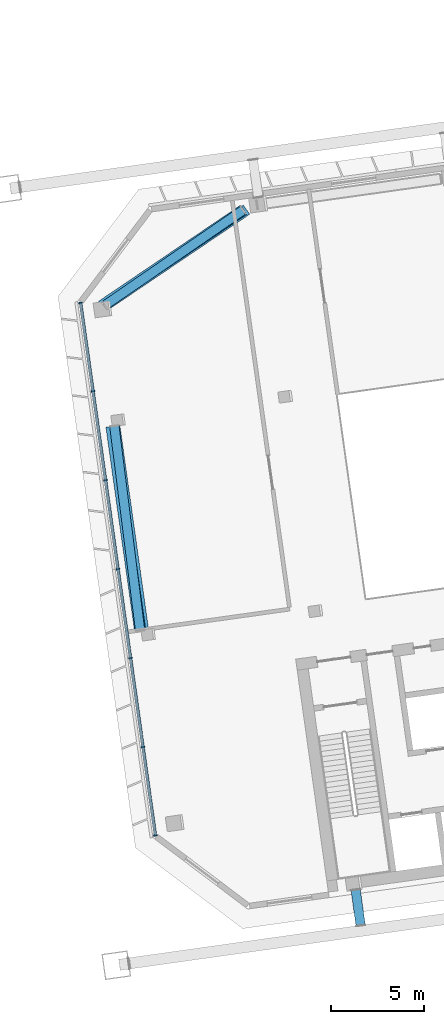
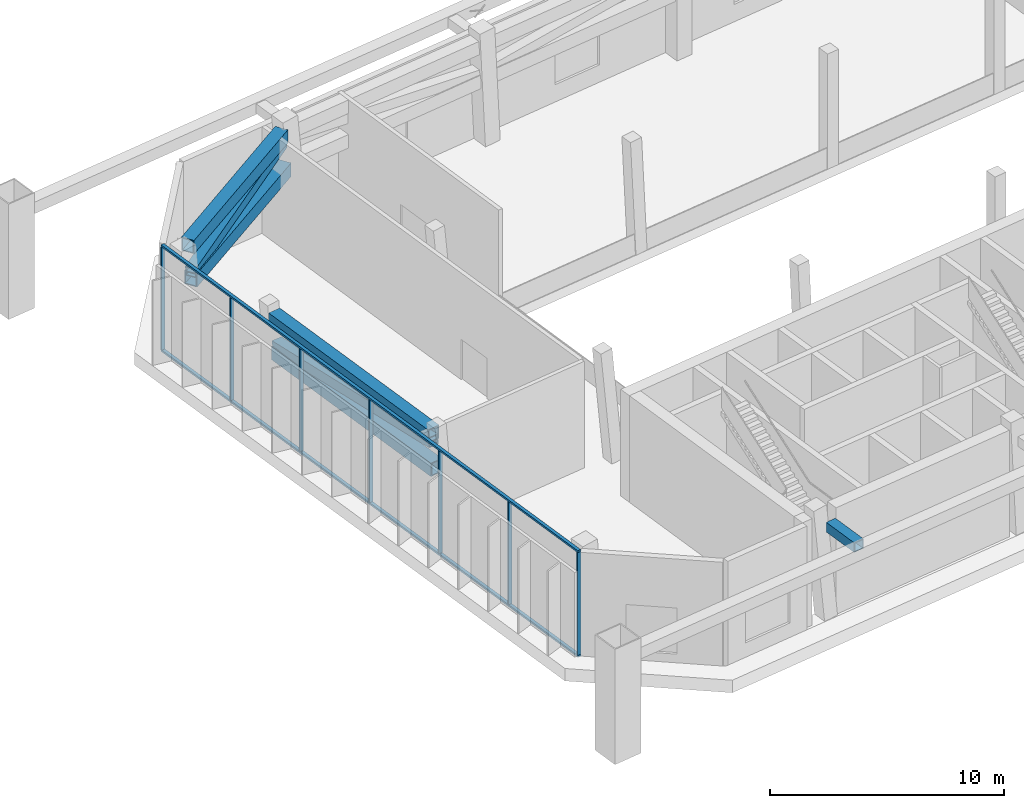
# One storey, part 9 of 29: 16 members, 1 element without a shape of its own.
"""IFC4 building model written with IfcOpenShell, lengths in metres."""

from ifc_helpers import new_model, si_unit, direction, frame, origin, origin_2d, place, context, subcontext, project, spatial, rectangle, hollow_rectangle, extrude, material, material_profile, profile_set, type_object, element, aggregate, save


model = new_model("IFC4")

# Units and contexts
model_context = context("Model", 3, precision=1e-05, world=origin(), true_north=direction((0.0, 1.0)))
body_context = subcontext(model_context, "Body", "Model", "MODEL_VIEW")
ifc_project = project(units=[si_unit("LENGTHUNIT", "METRE"), si_unit("AREAUNIT", "SQUARE_METRE"), si_unit("VOLUMEUNIT", "CUBIC_METRE"), si_unit("PLANEANGLEUNIT", "RADIAN"), si_unit("MASSUNIT", "GRAM", prefix="KILO")], contexts=[model_context])

# Site, building, storey
site_placement = place(None, origin())
site = spatial("IfcSite", under=ifc_project, at=site_placement, CompositionType="ELEMENT")
building_placement = place(site_placement, origin())
building = spatial("IfcBuilding", under=site, at=building_placement, Name="Mirante Cascada Hotel Towers", CompositionType="ELEMENT")
storey_placement = place(building_placement, frame((0.0, 0.0, 210.6)))
storey = spatial("IfcBuildingStorey", under=building, at=storey_placement, Name="L50", CompositionType="ELEMENT", Elevation=210.6)

# Members
ifc_material_1 = material(Name="Steel ASTM A572 Gr 50", Category="steel")
ifc_material_profile_1 = material_profile(ifc_material_1, hollow_rectangle(XDim=0.6, YDim=0.7, WallThickness=0.05, at=origin_2d()), Name="Box chord 700x600x50 ASTM A572 Gr 50")
ifc_profile_set_1 = profile_set([ifc_material_profile_1], Name="Steel ASTM A572 Gr 50")
member_type_1 = type_object("IfcMemberType", Name="Box chord 700x600x50 ASTM A572 Gr 50", PredefinedType="CHORD", material=ifc_profile_set_1)
member_1_placement = place(storey_placement, frame((25.2137, 11.5529, 5.2), z_axis=(0.8281337, 0.5605307, 0.0), x_axis=(-0.5605307, 0.8281337, 0.0)))
element("IfcMember", 1, at=member_1_placement, inside=storey, type_object=member_type_1, Name="belt T2 L50 1", PredefinedType="CHORD", context=body_context, shape_type="SweptSolid", body=[
    extrude(hollow_rectangle(XDim=0.6, YDim=0.7, WallThickness=0.05, at=origin_2d()), origin(), (0.0, 0.0, 1.0), 9.1531),
])
member_2_placement = place(storey_placement, frame((25.3676, 11.574, 3.4), z_axis=(0.8286913, 0.5597059, 0.0), x_axis=(-0.5597059, 0.8286913, 0.0)))
element("IfcMember", 2, at=member_2_placement, inside=storey, type_object=member_type_1, Name="belt T2 L50 2", PredefinedType="CHORD", context=body_context, shape_type="SweptSolid", body=[
    extrude(hollow_rectangle(XDim=0.6, YDim=0.7, WallThickness=0.05, at=origin_2d()), origin(), (0.0, 0.0, 1.0), 9.1741),
])
member_3_placement = place(storey_placement, frame((27.2719, -5.837, 5.2), z_axis=(-0.1391764, 0.9902676, 0.0), x_axis=(-0.9902676, -0.1391764, 0.0)))
element("IfcMember", 3, at=member_3_placement, inside=storey, type_object=member_type_1, Name="belt T2 L50 25", PredefinedType="CHORD", context=body_context, shape_type="SweptSolid", body=[
    extrude(hollow_rectangle(XDim=0.6, YDim=0.7, WallThickness=0.05, at=origin_2d()), origin(), (0.0, 0.0, 1.0), 11.0399),
])
member_4_placement = place(storey_placement, frame((27.4258, -5.8154, 3.4), z_axis=(-0.1391752, 0.9902678, 0.0), x_axis=(-0.9902678, -0.1391752, 0.0)))
element("IfcMember", 4, at=member_4_placement, inside=storey, type_object=member_type_1, Name="belt T2 L50 26", PredefinedType="CHORD", context=body_context, shape_type="SweptSolid", body=[
    extrude(hollow_rectangle(XDim=0.6, YDim=0.7, WallThickness=0.05, at=origin_2d()), origin(), (0.0, 0.0, 1.0), 11.04),
])
ifc_material_2 = material(Name="Steel ASTM A572 Gr 50", Category="steel")
ifc_material_profile_2 = material_profile(ifc_material_2, hollow_rectangle(XDim=0.5, YDim=0.5, WallThickness=0.035, at=origin_2d()), Name="Box diagonal 500x500x35 ASTM A572 Gr 50")
ifc_profile_set_2 = profile_set([ifc_material_profile_2], Name="Steel ASTM A572 Gr 50")
member_type_2 = type_object("IfcMemberType", Name="Box diagonal 500x500x35 ASTM A572 Gr 50", PredefinedType="BRACE", material=ifc_profile_set_2)
member_5_placement = place(storey_placement, frame((25.3676, 11.574, 3.75), z_axis=(0.8177654, 0.5626604, 0.1211325), x_axis=(-0.5668343, 0.8238318, 0.0)))
element("IfcMember", 5, at=member_5_placement, inside=storey, type_object=member_type_2, Name="belt T2 L50 3", PredefinedType="BRACE", context=body_context, shape_type="SweptSolid", body=[
    extrude(hollow_rectangle(XDim=0.5, YDim=0.5, WallThickness=0.035, at=origin_2d()), origin(), (0.0, 0.0, 1.0), 9.081),
])
member_6_placement = place(storey_placement, frame((27.2719, -5.837, 4.85), z_axis=(-0.1246061, 0.9872412, -0.0991369), x_axis=(-0.9921286, -0.1252229, 0.0)))
element("IfcMember", 6, at=member_6_placement, inside=storey, type_object=member_type_2, Name="belt T2 L50 27", PredefinedType="BRACE", context=body_context, shape_type="SweptSolid", body=[
    extrude(hollow_rectangle(XDim=0.5, YDim=0.5, WallThickness=0.035, at=origin_2d()), origin(), (0.0, 0.0, 1.0), 11.0958),
])
ifc_material_3 = material(Name="Steel ASTM A572 Gr 50", Category="steel")
ifc_material_profile_3 = material_profile(ifc_material_3, hollow_rectangle(XDim=0.5, YDim=0.5, WallThickness=0.035, at=origin_2d()), Name="Box tie 500x500x35 ASTM A572 Gr 50")
ifc_profile_set_3 = profile_set([ifc_material_profile_3], Name="Steel ASTM A572 Gr 50")
member_type_3 = type_object("IfcMemberType", Name="Box tie 500x500x35 ASTM A572 Gr 50", PredefinedType="STRUT", material=ifc_profile_set_3)
member_7_placement = place(storey_placement, frame((38.8163, -19.7255, 4.85), z_axis=(0.1391766, -0.9902676, 0.0), x_axis=(0.9902676, 0.1391766, 0.0)))
element("IfcMember", 7, at=member_7_placement, inside=storey, type_object=member_type_3, Name="tie T2 L50 2", PredefinedType="STRUT", context=body_context, shape_type="SweptSolid", body=[
    extrude(hollow_rectangle(XDim=0.5, YDim=0.5, WallThickness=0.035, at=origin_2d()), origin(), (0.0, 0.0, 1.0), 1.94),
])

# Curtain wall, members
ifc_material_4 = material(Name="Aluminium mullion and transom frame with clear laminated glass", Category="aluminium")
curtain_wall_type = type_object("IfcCurtainWallType", Name="End ribbon curtain wall ECW2", PredefinedType="NOTDEFINED", material=ifc_material_4)
curtain_wall_placement = place(storey_placement, origin())
curtain_wall = element("IfcCurtainWall", 8, at=curtain_wall_placement, inside=storey, type_object=curtain_wall_type, Name="Inner end wall T2 L50", PredefinedType="NOTDEFINED")
ifc_material_5 = material(Name="Anodised aluminium extrusion", Category="aluminium")
ifc_material_profile_4 = material_profile(ifc_material_5, rectangle(XDim=0.2, YDim=0.065, at=origin_2d()), Name="ECW2 MULLION 65x200")
ifc_profile_set_4 = profile_set([ifc_material_profile_4], Name="Anodised aluminium extrusion")
member_type_4 = type_object("IfcMemberType", Name="ECW2 mullion 65x200", PredefinedType="MULLION", material=ifc_profile_set_4)
member_8_placement = place(storey_placement, frame((24.079, 11.7148, 0.1), z_axis=(0.0, 0.0, 1.0), x_axis=(0.9902681, 0.1391731, 0.0)))
member_8 = element("IfcMember", 9, at=member_8_placement, type_object=member_type_4, Name="ECW2 mullion 1", PredefinedType="MULLION", context=body_context, shape_type="SweptSolid", body=[
    extrude(rectangle(XDim=0.2, YDim=0.065, at=origin_2d()), origin(), (0.0, 0.0, 1.0), 5.35),
])
member_9_placement = place(storey_placement, frame((24.7443, 6.9812, 0.1), z_axis=(0.0, 0.0, 1.0), x_axis=(0.9902681, 0.1391731, 0.0)))
member_9 = element("IfcMember", 10, at=member_9_placement, type_object=member_type_4, Name="ECW2 mullion 2", PredefinedType="MULLION", context=body_context, shape_type="SweptSolid", body=[
    extrude(rectangle(XDim=0.2, YDim=0.065, at=origin_2d()), origin(), (0.0, 0.0, 1.0), 5.35),
])
member_10_placement = place(storey_placement, frame((25.4141, 2.2154, 0.1), z_axis=(0.0, 0.0, 1.0), x_axis=(0.9902681, 0.1391731, 0.0)))
member_10 = element("IfcMember", 11, at=member_10_placement, type_object=member_type_4, Name="ECW2 mullion 3", PredefinedType="MULLION", context=body_context, shape_type="SweptSolid", body=[
    extrude(rectangle(XDim=0.2, YDim=0.065, at=origin_2d()), origin(), (0.0, 0.0, 1.0), 5.35),
])
member_11_placement = place(storey_placement, frame((26.0839, -2.5504, 0.1), z_axis=(0.0, 0.0, 1.0), x_axis=(0.9902681, 0.1391731, 0.0)))
member_11 = element("IfcMember", 12, at=member_11_placement, type_object=member_type_4, Name="ECW2 mullion 4", PredefinedType="MULLION", context=body_context, shape_type="SweptSolid", body=[
    extrude(rectangle(XDim=0.2, YDim=0.065, at=origin_2d()), origin(), (0.0, 0.0, 1.0), 5.35),
])
member_12_placement = place(storey_placement, frame((26.7536, -7.3162, 0.1), z_axis=(0.0, 0.0, 1.0), x_axis=(0.9902681, 0.1391731, 0.0)))
member_12 = element("IfcMember", 13, at=member_12_placement, type_object=member_type_4, Name="ECW2 mullion 5", PredefinedType="MULLION", context=body_context, shape_type="SweptSolid", body=[
    extrude(rectangle(XDim=0.2, YDim=0.065, at=origin_2d()), origin(), (0.0, 0.0, 1.0), 5.35),
])
member_13_placement = place(storey_placement, frame((27.4234, -12.082, 0.1), z_axis=(0.0, 0.0, 1.0), x_axis=(0.9902681, 0.1391731, 0.0)))
member_13 = element("IfcMember", 14, at=member_13_placement, type_object=member_type_4, Name="ECW2 mullion 6", PredefinedType="MULLION", context=body_context, shape_type="SweptSolid", body=[
    extrude(rectangle(XDim=0.2, YDim=0.065, at=origin_2d()), origin(), (0.0, 0.0, 1.0), 5.35),
])
member_14_placement = place(storey_placement, frame((28.0887, -16.8156, 0.1), z_axis=(0.0, 0.0, 1.0), x_axis=(0.9902681, 0.1391731, 0.0)))
member_14 = element("IfcMember", 15, at=member_14_placement, type_object=member_type_4, Name="ECW2 mullion 7", PredefinedType="MULLION", context=body_context, shape_type="SweptSolid", body=[
    extrude(rectangle(XDim=0.2, YDim=0.065, at=origin_2d()), origin(), (0.0, 0.0, 1.0), 5.35),
])
ifc_material_6 = material(Name="Anodised aluminium extrusion", Category="aluminium")
ifc_material_profile_5 = material_profile(ifc_material_6, rectangle(XDim=0.16, YDim=0.1, at=origin_2d()), Name="ECW2 TRANSOM 100x160")
ifc_profile_set_5 = profile_set([ifc_material_profile_5], Name="Anodised aluminium extrusion")
member_type_5 = type_object("IfcMemberType", Name="ECW2 transom 100x160", PredefinedType="USERDEFINED", material=ifc_profile_set_5)
member_15_placement = place(storey_placement, frame((24.0745, 11.747, 0.05), z_axis=(0.1391723, -0.9902682, 0.0), x_axis=(0.9902682, 0.1391723, 0.0)))
member_15 = element("IfcMember", 16, at=member_15_placement, type_object=member_type_5, Name="ECW2 sill transom", ObjectType="TRANSOM", PredefinedType="USERDEFINED", context=body_context, shape_type="SweptSolid", body=[
    extrude(rectangle(XDim=0.16, YDim=0.1, at=origin_2d()), origin(), (0.0, 0.0, 1.0), 28.8757),
])
member_16_placement = place(storey_placement, frame((24.0745, 11.747, 5.5), z_axis=(0.1391723, -0.9902682, 0.0), x_axis=(0.9902682, 0.1391723, 0.0)))
member_16 = element("IfcMember", 17, at=member_16_placement, type_object=member_type_5, Name="ECW2 head transom", ObjectType="TRANSOM", PredefinedType="USERDEFINED", context=body_context, shape_type="SweptSolid", body=[
    extrude(rectangle(XDim=0.16, YDim=0.1, at=origin_2d()), origin(), (0.0, 0.0, 1.0), 28.8757),
])
aggregate(curtain_wall, [member_15, member_16, member_8, member_9, member_10, member_11, member_12, member_13, member_14])

save(model, "model.ifc")
